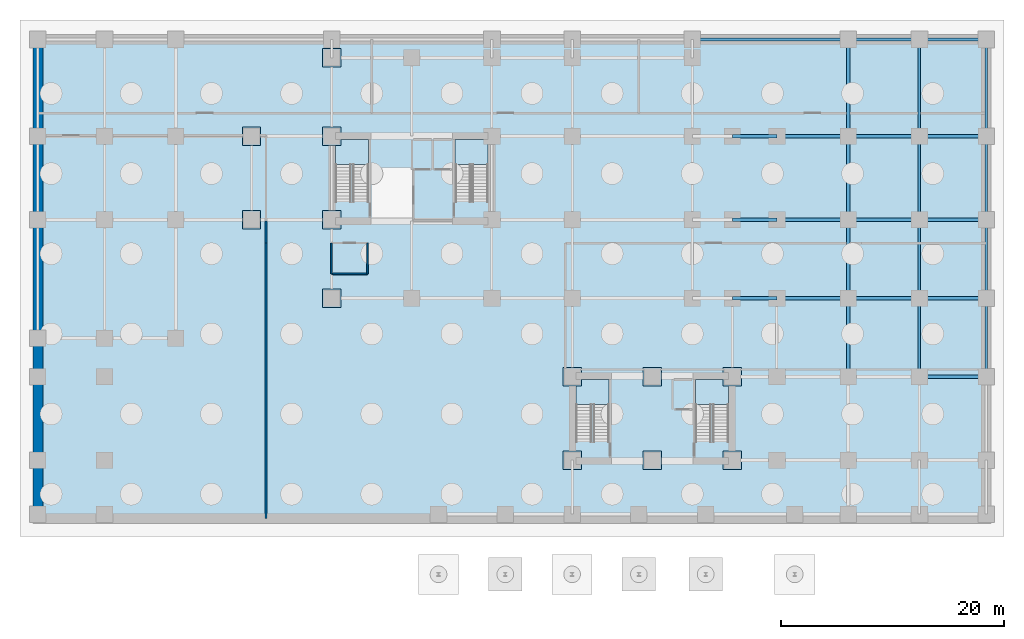
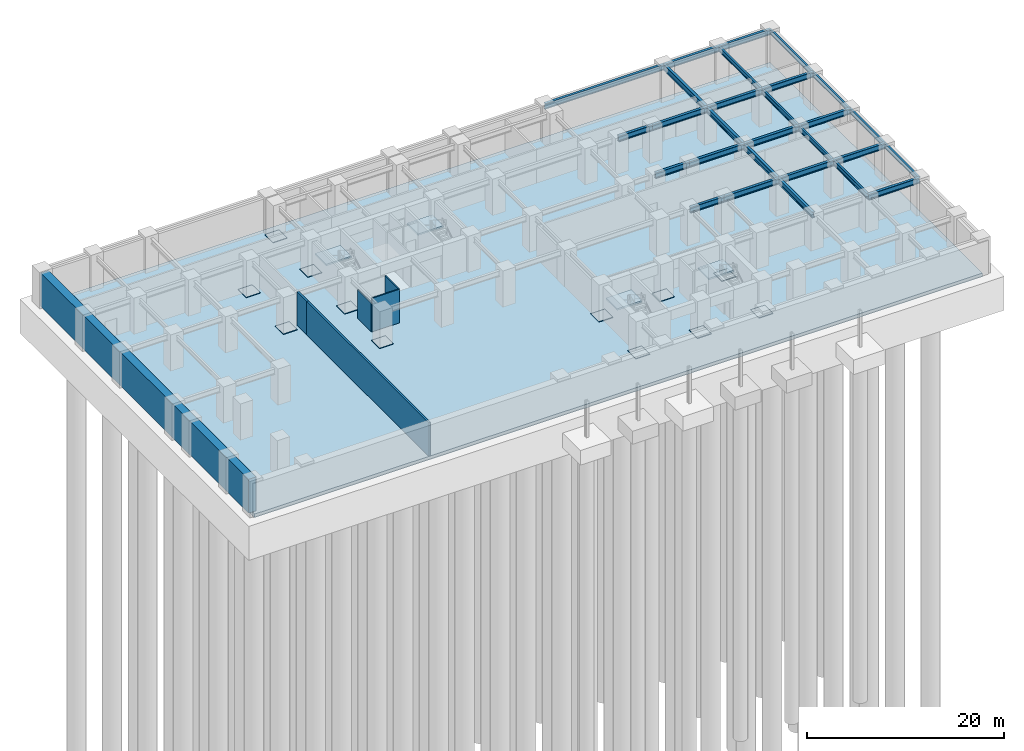
# One storey, part 6 of 11: 28 beams, 12 plates, 6 walls, 5 slabs, 4 elements without a shape of their own.
"""IFC4 building model written with IfcOpenShell, lengths in metres."""

from ifc_helpers import new_model, si_unit, direction, frame, frame_2d, origin, origin_2d, place, context, subcontext, project, spatial, polyline, rectangle, i_section, outline, extrude, source, transform, mapped, material, layer, layer_set, material_profile, profile_set, type_object, element, aggregate, save


model = new_model("IFC4")

# Units and contexts
model_context = context("Model", 3, precision=1e-05, world=origin(), true_north=direction((0.0, 1.0)))
body_context = subcontext(model_context, "Body", "Model", "MODEL_VIEW")
ifc_project = project(units=[si_unit("LENGTHUNIT", "METRE"), si_unit("AREAUNIT", "SQUARE_METRE"), si_unit("VOLUMEUNIT", "CUBIC_METRE"), si_unit("PLANEANGLEUNIT", "RADIAN"), si_unit("MASSUNIT", "GRAM", prefix="KILO")], contexts=[model_context])

# Site, building, storey
site_placement = place(None, origin())
site = spatial("IfcSite", under=ifc_project, at=site_placement, CompositionType="ELEMENT")
building_placement = place(site_placement, origin())
building = spatial("IfcBuilding", under=site, at=building_placement, Name="Kaliganga Portal Commons", CompositionType="ELEMENT")
storey_placement = place(building_placement, frame((0.0, 0.0, -9.0)))
storey = spatial("IfcBuildingStorey", under=building, at=storey_placement, Name="B2", CompositionType="ELEMENT", Elevation=-9.0)

# Beams
ifc_material_1 = material(Name="Structural steel S355J2", Category="steel")
ifc_material_profile_1 = material_profile(ifc_material_1, i_section(OverallWidth=0.219970703125, OverallDepth=0.60009765625, WebThickness=0.011962890625, FlangeThickness=0.01904296875, FilletRadius=0.02392578125, at=origin_2d()), Name="IPE 600")
ifc_profile_set_1 = profile_set([ifc_material_profile_1], Name="Structural steel S355J2 wide-flange")
beam_type_1 = type_object("IfcBeamType", Name="BM-FLR-600", PredefinedType="BEAM", material=ifc_profile_set_1)
shared_shape_1 = source(origin(), body_context, "Body", "SweptSolid", [
    extrude(i_section(OverallWidth=0.219970703125, OverallDepth=0.60009765625, WebThickness=0.011962890625, FlangeThickness=0.01904296875, FilletRadius=0.02392578125, at=origin_2d()), origin(), (0.0, 0.0, 1.0), 7.5),
])
for number, where, z_axis, x_axis, name in (
    (1, (67.199951171875, 28.64990234375, 3.8798828125), (0.0, 1.0, 0.0), (-1.0, 0.0, 0.0), "BM PODE B2 X67 5"),
    (2, (73.199951171875, 28.64990234375, 3.8798828125), (0.0, 1.0, 0.0), (-1.0, 0.0, 0.0), "BM PODE B2 X73 5"),
):
    element("IfcBeam", number, at=place(storey_placement, frame(where, z_axis=z_axis, x_axis=x_axis)), inside=storey, type_object=beam_type_1, Name=name, PredefinedType="BEAM", context=body_context, shape_type="MappedRepresentation", body=[
        mapped(shared_shape_1, transform((0.0, 0.0, 0.0), x_axis=(1.0, 0.0, 0.0), y_axis=(0.0, 1.0, 0.0), z_axis=(0.0, 0.0, 1.0), scale=1.0)),
    ])
shared_shape_2 = source(origin(), body_context, "Body", "SweptSolid", [
    extrude(i_section(OverallWidth=0.219970703125, OverallDepth=0.60009765625, WebThickness=0.011962890625, FlangeThickness=0.01904296875, FilletRadius=0.02392578125, at=origin_2d()), origin(), (0.0, 0.0, 1.0), 7.050048828125),
])
for number, where, z_axis, x_axis, name in (
    (3, (67.199951171875, 14.550048828125, 3.8798828125), (0.0, 1.0, 0.0), (-1.0, 0.0, 0.0), "BM PODE B2 X67 3"),
    (4, (73.199951171875, 14.550048828125, 3.8798828125), (0.0, 1.0, 0.0), (-1.0, 0.0, 0.0), "BM PODE B2 X73 3"),
):
    element("IfcBeam", number, at=place(storey_placement, frame(where, z_axis=z_axis, x_axis=x_axis)), inside=storey, type_object=beam_type_1, Name=name, PredefinedType="BEAM", context=body_context, shape_type="MappedRepresentation", body=[
        mapped(shared_shape_2, transform((0.0, 0.0, 0.0), x_axis=(1.0, 0.0, 0.0), y_axis=(0.0, 1.0, 0.0), z_axis=(0.0, 0.0, 1.0), scale=1.0)),
    ])
shared_shape_3 = source(origin(), body_context, "Body", "SweptSolid", [
    extrude(i_section(OverallWidth=0.219970703125, OverallDepth=0.60009765625, WebThickness=0.011962890625, FlangeThickness=0.01904296875, FilletRadius=0.02392578125, at=origin_2d()), origin(), (0.0, 0.0, 1.0), 7.0498046875),
])
for number, where, z_axis, x_axis, name in (
    (5, (67.199951171875, 21.60009765625, 3.8798828125), (0.0, 1.0, 0.0), (-1.0, 0.0, 0.0), "BM PODE B2 X67 4"),
    (6, (73.199951171875, 21.60009765625, 3.8798828125), (0.0, 1.0, 0.0), (-1.0, 0.0, 0.0), "BM PODE B2 X73 4"),
):
    element("IfcBeam", number, at=place(storey_placement, frame(where, z_axis=z_axis, x_axis=x_axis)), inside=storey, type_object=beam_type_1, Name=name, PredefinedType="BEAM", context=body_context, shape_type="MappedRepresentation", body=[
        mapped(shared_shape_3, transform((0.0, 0.0, 0.0), x_axis=(1.0, 0.0, 0.0), y_axis=(0.0, 1.0, 0.0), z_axis=(0.0, 0.0, 1.0), scale=1.0)),
    ])
ifc_material_profile_2 = material_profile(ifc_material_1, i_section(OverallWidth=0.300048828125, OverallDepth=0.699951171875, WebThickness=0.01708984375, FlangeThickness=0.031982421875, FilletRadius=0.027099609375, at=origin_2d()), Name="HE 700 B")
ifc_profile_set_2 = profile_set([ifc_material_profile_2], Name="Structural steel S355J2 wide-flange")
beam_type_2 = type_object("IfcBeamType", Name="BM-GIRD-700", PredefinedType="USERDEFINED", material=ifc_profile_set_2)
shared_shape_4 = source(origin(), body_context, "Body", "SweptSolid", [
    extrude(i_section(OverallWidth=0.300048828125, OverallDepth=0.699951171875, WebThickness=0.01708984375, FlangeThickness=0.031982421875, FilletRadius=0.027099609375, at=origin_2d()), origin(), (0.0, 0.0, 1.0), 4.0),
])
for number, where, z_axis, x_axis, name in (
    (7, (50.39990234375, 21.60009765625, 3.830078125), (1.0, 0.0, 0.0), (0.0, 1.0, 0.0), "BM G B2 BKE216 2"),
    (8, (50.39990234375, 28.64990234375, 3.830078125), (1.0, 0.0, 0.0), (0.0, 1.0, 0.0), "BM G B2 BKE286 2"),
    (9, (50.39990234375, 36.14990234375, 3.830078125), (1.0, 0.0, 0.0), (0.0, 1.0, 0.0), "BM G B2 BKE362 2"),
):
    element("IfcBeam", number, at=place(storey_placement, frame(where, z_axis=z_axis, x_axis=x_axis)), inside=storey, type_object=beam_type_2, Name=name, ObjectType="GIRDER", PredefinedType="USERDEFINED", context=body_context, shape_type="MappedRepresentation", body=[
        mapped(shared_shape_4, transform((0.0, 0.0, 0.0), x_axis=(1.0, 0.0, 0.0), y_axis=(0.0, 1.0, 0.0), z_axis=(0.0, 0.0, 1.0), scale=1.0)),
    ])
shared_shape_5 = source(origin(), body_context, "Body", "SweptSolid", [
    extrude(i_section(OverallWidth=0.300048828125, OverallDepth=0.699951171875, WebThickness=0.01708984375, FlangeThickness=0.031982421875, FilletRadius=0.027099609375, at=origin_2d()), origin(), (0.0, 0.0, 1.0), 6.400146484375),
])
for number, where, z_axis, x_axis, name in (
    (10, (54.39990234375, 21.60009765625, 3.830078125), (1.0, 0.0, 0.0), (0.0, 1.0, 0.0), "BM G B2 BKE216 3"),
    (11, (54.39990234375, 28.64990234375, 3.830078125), (1.0, 0.0, 0.0), (0.0, 1.0, 0.0), "BM G B2 BKE286 3"),
    (12, (54.39990234375, 36.14990234375, 3.830078125), (1.0, 0.0, 0.0), (0.0, 1.0, 0.0), "BM G B2 BKE362 3"),
):
    element("IfcBeam", number, at=place(storey_placement, frame(where, z_axis=z_axis, x_axis=x_axis)), inside=storey, type_object=beam_type_2, Name=name, ObjectType="GIRDER", PredefinedType="USERDEFINED", context=body_context, shape_type="MappedRepresentation", body=[
        mapped(shared_shape_5, transform((0.0, 0.0, 0.0), x_axis=(1.0, 0.0, 0.0), y_axis=(0.0, 1.0, 0.0), z_axis=(0.0, 0.0, 1.0), scale=1.0)),
    ])
shared_shape_6 = source(origin(), body_context, "Body", "SweptSolid", [
    extrude(i_section(OverallWidth=0.300048828125, OverallDepth=0.699951171875, WebThickness=0.01708984375, FlangeThickness=0.031982421875, FilletRadius=0.027099609375, at=origin_2d()), origin(), (0.0, 0.0, 1.0), 7.5),
])
beam_1_placement = place(storey_placement, frame((60.800048828125, 28.64990234375, 3.830078125), z_axis=(0.0, 1.0, 0.0), x_axis=(-1.0, 0.0, 0.0)))
element("IfcBeam", 13, at=beam_1_placement, inside=storey, type_object=beam_type_2, Name="BM PODP B2 E60 5", ObjectType="GIRDER", PredefinedType="USERDEFINED", context=body_context, shape_type="MappedRepresentation", body=[
    mapped(shared_shape_6, transform((0.0, 0.0, 0.0), x_axis=(1.0, 0.0, 0.0), y_axis=(0.0, 1.0, 0.0), z_axis=(0.0, 0.0, 1.0), scale=1.0)),
])
shared_shape_7 = source(origin(), body_context, "Body", "SweptSolid", [
    extrude(i_section(OverallWidth=0.300048828125, OverallDepth=0.699951171875, WebThickness=0.01708984375, FlangeThickness=0.031982421875, FilletRadius=0.027099609375, at=origin_2d()), origin(), (0.0, 0.0, 1.0), 8.7001953125),
])
beam_2_placement = place(storey_placement, frame((60.800048828125, 36.14990234375, 3.830078125), z_axis=(0.0, 1.0, 0.0), x_axis=(-1.0, 0.0, 0.0)))
element("IfcBeam", 14, at=beam_2_placement, inside=storey, type_object=beam_type_2, Name="BM PODP B2 E60 6", ObjectType="GIRDER", PredefinedType="USERDEFINED", context=body_context, shape_type="MappedRepresentation", body=[
    mapped(shared_shape_7, transform((0.0, 0.0, 0.0), x_axis=(1.0, 0.0, 0.0), y_axis=(0.0, 1.0, 0.0), z_axis=(0.0, 0.0, 1.0), scale=1.0)),
])
shared_shape_8 = source(origin(), body_context, "Body", "SweptSolid", [
    extrude(i_section(OverallWidth=0.300048828125, OverallDepth=0.699951171875, WebThickness=0.01708984375, FlangeThickness=0.031982421875, FilletRadius=0.027099609375, at=origin_2d()), origin(), (0.0, 0.0, 1.0), 14.0),
])
beam_3_placement = place(storey_placement, frame((46.800048828125, 44.85009765625, 3.830078125), z_axis=(1.0, 0.0, 0.0), x_axis=(0.0, 1.0, 0.0)))
element("IfcBeam", 15, at=beam_3_placement, inside=storey, type_object=beam_type_2, Name="BM PODP B2 N44 5", ObjectType="GIRDER", PredefinedType="USERDEFINED", context=body_context, shape_type="MappedRepresentation", body=[
    mapped(shared_shape_8, transform((0.0, 0.0, 0.0), x_axis=(1.0, 0.0, 0.0), y_axis=(0.0, 1.0, 0.0), z_axis=(0.0, 0.0, 1.0), scale=1.0)),
])
shared_shape_9 = source(origin(), body_context, "Body", "SweptSolid", [
    extrude(i_section(OverallWidth=0.300048828125, OverallDepth=0.699951171875, WebThickness=0.01708984375, FlangeThickness=0.031982421875, FilletRadius=0.027099609375, at=origin_2d()), origin(), (0.0, 0.0, 1.0), 7.050048828125),
])
beam_4_placement = place(storey_placement, frame((60.800048828125, 14.550048828125, 3.830078125), z_axis=(0.0, 1.0, 0.0), x_axis=(-1.0, 0.0, 0.0)))
element("IfcBeam", 16, at=beam_4_placement, inside=storey, type_object=beam_type_2, Name="BM PODP B2 E60 3", ObjectType="GIRDER", PredefinedType="USERDEFINED", context=body_context, shape_type="MappedRepresentation", body=[
    mapped(shared_shape_9, transform((0.0, 0.0, 0.0), x_axis=(1.0, 0.0, 0.0), y_axis=(0.0, 1.0, 0.0), z_axis=(0.0, 0.0, 1.0), scale=1.0)),
])
shared_shape_10 = source(origin(), body_context, "Body", "SweptSolid", [
    extrude(i_section(OverallWidth=0.300048828125, OverallDepth=0.699951171875, WebThickness=0.01708984375, FlangeThickness=0.031982421875, FilletRadius=0.027099609375, at=origin_2d()), origin(), (0.0, 0.0, 1.0), 7.0498046875),
])
beam_5_placement = place(storey_placement, frame((60.800048828125, 21.60009765625, 3.830078125), z_axis=(0.0, 1.0, 0.0), x_axis=(-1.0, 0.0, 0.0)))
element("IfcBeam", 17, at=beam_5_placement, inside=storey, type_object=beam_type_2, Name="BM PODP B2 E60 4", ObjectType="GIRDER", PredefinedType="USERDEFINED", context=body_context, shape_type="MappedRepresentation", body=[
    mapped(shared_shape_10, transform((0.0, 0.0, 0.0), x_axis=(1.0, 0.0, 0.0), y_axis=(0.0, 1.0, 0.0), z_axis=(0.0, 0.0, 1.0), scale=1.0)),
])
shared_shape_11 = source(origin(), body_context, "Body", "SweptSolid", [
    extrude(i_section(OverallWidth=0.300048828125, OverallDepth=0.699951171875, WebThickness=0.01708984375, FlangeThickness=0.031982421875, FilletRadius=0.027099609375, at=origin_2d()), origin(), (0.0, 0.0, 1.0), 6.0),
])
for number, where, z_axis, x_axis, name in (
    (18, (67.199951171875, 14.550048828125, 3.830078125), (1.0, 0.0, 0.0), (0.0, 1.0, 0.0), "BM PODE B2 Y14 2"),
    (19, (67.199951171875, 21.60009765625, 3.830078125), (1.0, 0.0, 0.0), (0.0, 1.0, 0.0), "BM PODE B2 Y21 2"),
    (20, (67.199951171875, 28.64990234375, 3.830078125), (1.0, 0.0, 0.0), (0.0, 1.0, 0.0), "BM PODE B2 Y28 2"),
    (21, (67.199951171875, 36.14990234375, 3.830078125), (1.0, 0.0, 0.0), (0.0, 1.0, 0.0), "BM PODE B2 Y36 2"),
    (22, (67.199951171875, 44.85009765625, 3.830078125), (1.0, 0.0, 0.0), (0.0, 1.0, 0.0), "BM PODE B2 Y44 2"),
):
    element("IfcBeam", number, at=place(storey_placement, frame(where, z_axis=z_axis, x_axis=x_axis)), inside=storey, type_object=beam_type_2, Name=name, ObjectType="GIRDER", PredefinedType="USERDEFINED", context=body_context, shape_type="MappedRepresentation", body=[
        mapped(shared_shape_11, transform((0.0, 0.0, 0.0), x_axis=(1.0, 0.0, 0.0), y_axis=(0.0, 1.0, 0.0), z_axis=(0.0, 0.0, 1.0), scale=1.0)),
    ])
shared_shape_12 = source(origin(), body_context, "Body", "SweptSolid", [
    extrude(i_section(OverallWidth=0.300048828125, OverallDepth=0.699951171875, WebThickness=0.01708984375, FlangeThickness=0.031982421875, FilletRadius=0.027099609375, at=origin_2d()), origin(), (0.0, 0.0, 1.0), 6.39990234375),
])
for number, where, z_axis, x_axis, name in (
    (23, (60.800048828125, 21.60009765625, 3.830078125), (1.0, 0.0, 0.0), (0.0, 1.0, 0.0), "BM PODE B2 Y21 1"),
    (24, (60.800048828125, 28.64990234375, 3.830078125), (1.0, 0.0, 0.0), (0.0, 1.0, 0.0), "BM PODE B2 Y28 1"),
    (25, (60.800048828125, 36.14990234375, 3.830078125), (1.0, 0.0, 0.0), (0.0, 1.0, 0.0), "BM PODE B2 Y36 1"),
    (26, (60.800048828125, 44.85009765625, 3.830078125), (1.0, 0.0, 0.0), (0.0, 1.0, 0.0), "BM PODE B2 Y44 1"),
):
    element("IfcBeam", number, at=place(storey_placement, frame(where, z_axis=z_axis, x_axis=x_axis)), inside=storey, type_object=beam_type_2, Name=name, ObjectType="GIRDER", PredefinedType="USERDEFINED", context=body_context, shape_type="MappedRepresentation", body=[
        mapped(shared_shape_12, transform((0.0, 0.0, 0.0), x_axis=(1.0, 0.0, 0.0), y_axis=(0.0, 1.0, 0.0), z_axis=(0.0, 0.0, 1.0), scale=1.0)),
    ])
shared_shape_13 = source(origin(), body_context, "Body", "SweptSolid", [
    extrude(i_section(OverallWidth=0.219970703125, OverallDepth=0.60009765625, WebThickness=0.011962890625, FlangeThickness=0.01904296875, FilletRadius=0.02392578125, at=origin_2d()), origin(), (0.0, 0.0, 1.0), 8.7001953125),
])
for number, where, z_axis, x_axis, name in (
    (27, (67.199951171875, 36.14990234375, 3.8798828125), (0.0, 1.0, 0.0), (-1.0, 0.0, 0.0), "BM PODE B2 X67 6"),
    (28, (73.199951171875, 36.14990234375, 3.8798828125), (0.0, 1.0, 0.0), (-1.0, 0.0, 0.0), "BM PODE B2 X73 6"),
):
    element("IfcBeam", number, at=place(storey_placement, frame(where, z_axis=z_axis, x_axis=x_axis)), inside=storey, type_object=beam_type_1, Name=name, PredefinedType="BEAM", context=body_context, shape_type="MappedRepresentation", body=[
        mapped(shared_shape_13, transform((0.0, 0.0, 0.0), x_axis=(1.0, 0.0, 0.0), y_axis=(0.0, 1.0, 0.0), z_axis=(0.0, 0.0, 1.0), scale=1.0)),
    ])

# Slab
ifc_material_2 = material(Name="Concrete C60/75", Category="concrete")
ifc_layer_1 = layer(ifc_material_2, 0.449951171875)
ifc_layer_set_1 = layer_set([ifc_layer_1], Name="Concrete C60/75")
slab_type_1 = type_object("IfcSlabType", Name="SLB-BASE-450", PredefinedType="BASESLAB", material=ifc_layer_set_1)
slab_1_placement = place(storey_placement, frame((0.0, 0.0, -0.449951171875)))
element("IfcSlab", 29, at=slab_1_placement, inside=storey, type_object=slab_type_1, Name="Structural Floor Slab B2", PredefinedType="BASESLAB", context=body_context, shape_type="SweptSolid", body=[
    extrude(outline(polyline([(-12.0, 1.800048828125), (73.199951171875, 1.800048828125), (73.199951171875, 44.85009765625), (-12.0, 44.85009765625), (-12.0, 1.800048828125)])), origin(), (0.0, 0.0, 1.0), 0.449951171875),
])

# Stair, slab
ifc_material_3 = material(Name="Concrete C40/50", Category="concrete")
stair_type = type_object("IfcStairType", Name="ST-CORE-DOGLEG", PredefinedType="HALF_TURN_STAIR", material=ifc_material_3)
stair_1_placement = place(storey_placement, origin())
stair_1 = element("IfcStair", 30, at=stair_1_placement, inside=storey, type_object=stair_type, Name="B2 Protected Exit Stair ST-A1", PredefinedType="HALF_TURN_STAIR")
ifc_layer_2 = layer(ifc_material_3, 0.199951171875)
ifc_layer_set_2 = layer_set([ifc_layer_2], Name="Concrete C40/50")
slab_type_2 = type_object("IfcSlabType", Name="SLB-STAIR-LND", PredefinedType="LANDING", material=ifc_layer_set_2)
slab_2_placement = place(storey_placement, frame((0.0, 0.0, 2.050048828125)))
slab_2 = element("IfcSlab", 31, at=slab_2_placement, type_object=slab_type_2, Name="ST-A1 landing 1", PredefinedType="LANDING", context=body_context, shape_type="SweptSolid", body=[
    extrude(outline(polyline([(17.699951171875, 33.610107421875), (17.699951171875, 35.85009765625), (14.75, 35.85009765625), (14.75, 33.610107421875), (17.699951171875, 33.610107421875)])), origin(), (0.0, 0.0, 1.0), 0.199951171875),
])
aggregate(stair_1, [slab_2])

stair_2_placement = place(storey_placement, origin())
stair_2 = element("IfcStair", 32, at=stair_2_placement, inside=storey, type_object=stair_type, Name="B2 Protected Exit Stair ST-A2", PredefinedType="HALF_TURN_STAIR")
slab_3_placement = place(storey_placement, frame((0.0, 0.0, 2.050048828125)))
slab_3 = element("IfcSlab", 33, at=slab_3_placement, type_object=slab_type_2, Name="ST-A2 landing 1", PredefinedType="LANDING", context=body_context, shape_type="SweptSolid", body=[
    extrude(outline(polyline([(28.449951171875, 33.610107421875), (28.449951171875, 35.85009765625), (25.5, 35.85009765625), (25.5, 33.610107421875), (28.449951171875, 33.610107421875)])), origin(), (0.0, 0.0, 1.0), 0.199951171875),
])
aggregate(stair_2, [slab_3])

stair_3_placement = place(storey_placement, origin())
stair_3 = element("IfcStair", 34, at=stair_3_placement, inside=storey, type_object=stair_type, Name="B2 Protected Exit Stair ST-B1", PredefinedType="HALF_TURN_STAIR")
slab_4_placement = place(storey_placement, frame((0.0, 0.0, 2.050048828125)))
slab_4 = element("IfcSlab", 35, at=slab_4_placement, type_object=slab_type_2, Name="ST-B1 landing 1", PredefinedType="LANDING", context=body_context, shape_type="SweptSolid", body=[
    extrude(outline(polyline([(39.300048828125, 12.06005859375), (39.300048828125, 14.300048828125), (36.35009765625, 14.300048828125), (36.35009765625, 12.06005859375), (39.300048828125, 12.06005859375)])), origin(), (0.0, 0.0, 1.0), 0.199951171875),
])
aggregate(stair_3, [slab_4])

stair_4_placement = place(storey_placement, origin())
stair_4 = element("IfcStair", 36, at=stair_4_placement, inside=storey, type_object=stair_type, Name="B2 Protected Exit Stair ST-B2", PredefinedType="HALF_TURN_STAIR")
slab_5_placement = place(storey_placement, frame((0.0, 0.0, 2.050048828125)))
slab_5 = element("IfcSlab", 37, at=slab_5_placement, type_object=slab_type_2, Name="ST-B2 landing 1", PredefinedType="LANDING", context=body_context, shape_type="SweptSolid", body=[
    extrude(outline(polyline([(50.050048828125, 12.06005859375), (50.050048828125, 14.300048828125), (47.10009765625, 14.300048828125), (47.10009765625, 12.06005859375), (50.050048828125, 12.06005859375)])), origin(), (0.0, 0.0, 1.0), 0.199951171875),
])
aggregate(stair_4, [slab_5])

# Plates
ifc_layer_3 = layer(ifc_material_1, 0.050048828125)
ifc_layer_set_3 = layer_set([ifc_layer_3], Name="Structural steel S355J2")
plate_type = type_object("IfcPlateType", Name="PLT-BASE-50", PredefinedType="SHEET", material=ifc_layer_set_3)
shared_shape_14 = source(origin(), body_context, "Body", "SweptSolid", [
    extrude(rectangle(XDim=1.64990234375, YDim=1.64990234375, at=origin_2d()), origin(), (0.0, 0.0, 1.0), 0.050048828125),
])
for number, where, z_axis, x_axis, name in (
    (38, (7.199951171875, 28.64990234375, 0.0), (0.0, 0.0, 1.0), (1.0, 0.0, 0.0), "Column Baseplate BP-MCA-01"),
    (39, (7.199951171875, 36.14990234375, 0.0), (0.0, 0.0, 1.0), (1.0, 0.0, 0.0), "Column Baseplate BP-MCA-02"),
    (40, (14.39990234375, 21.60009765625, 0.0), (0.0, 0.0, 1.0), (1.0, 0.0, 0.0), "Column Baseplate BP-MCA-03"),
    (41, (14.39990234375, 28.64990234375, 0.0), (0.0, 0.0, 1.0), (1.0, 0.0, 0.0), "Column Baseplate BP-MCA-04"),
    (42, (14.39990234375, 36.14990234375, 0.0), (0.0, 0.0, 1.0), (1.0, 0.0, 0.0), "Column Baseplate BP-MCA-05"),
    (43, (14.39990234375, 43.199951171875, 0.0), (0.0, 0.0, 1.0), (1.0, 0.0, 0.0), "Column Baseplate BP-MCA-06"),
    (44, (36.0, 7.050048828125, 0.0), (0.0, 0.0, 1.0), (1.0, 0.0, 0.0), "Column Baseplate BP-MCB-01"),
    (45, (36.0, 14.550048828125, 0.0), (0.0, 0.0, 1.0), (1.0, 0.0, 0.0), "Column Baseplate BP-MCB-02"),
    (46, (43.199951171875, 7.050048828125, 0.0), (0.0, 0.0, 1.0), (1.0, 0.0, 0.0), "Column Baseplate BP-MCB-03"),
    (47, (43.199951171875, 14.550048828125, 0.0), (0.0, 0.0, 1.0), (1.0, 0.0, 0.0), "Column Baseplate BP-MCB-04"),
    (48, (50.39990234375, 7.050048828125, 0.0), (0.0, 0.0, 1.0), (1.0, 0.0, 0.0), "Column Baseplate BP-MCB-05"),
    (49, (50.39990234375, 14.550048828125, 0.0), (0.0, 0.0, 1.0), (1.0, 0.0, 0.0), "Column Baseplate BP-MCB-06"),
):
    element("IfcPlate", number, at=place(storey_placement, frame(where, z_axis=z_axis, x_axis=x_axis)), inside=storey, type_object=plate_type, Name=name, PredefinedType="SHEET", context=body_context, shape_type="MappedRepresentation", body=[
        mapped(shared_shape_14, transform((0.0, 0.0, 0.0), x_axis=(1.0, 0.0, 0.0), y_axis=(0.0, 1.0, 0.0), z_axis=(0.0, 0.0, 1.0), scale=1.0)),
    ])

# Walls
ifc_material_4 = material(Name="Lightweight blockwork masonry", Category="masonry")
ifc_layer_4 = layer(ifc_material_4, 0.215087890625)
ifc_layer_set_4 = layer_set([ifc_layer_4], Name="Lightweight blockwork masonry")
wall_type_1 = type_object("IfcWallType", Name="WL-PART-PLANT-215", PredefinedType="PARTITIONING", material=ifc_layer_set_4)
wall_1_placement = place(storey_placement, frame((8.5, 26.56005859375, 0.0), z_axis=(0.0, 0.0, 1.0), x_axis=(0.0, 1.0, 0.0)))
element("IfcWall", 50, at=wall_1_placement, inside=storey, type_object=wall_type_1, Name="Interior Partition B2-013", PredefinedType="PARTITIONING", context=body_context, shape_type="SweptSolid", body=[
    extrude(rectangle(XDim=2.0, YDim=0.215087890625, at=frame_2d((1.0, 0.0))), origin(), (0.0, 0.0, 1.0), 4.159912109375),
])
wall_2_placement = place(storey_placement, frame((8.5, 1.800048828125, 0.0), z_axis=(0.0, 0.0, 1.0), x_axis=(0.0, 1.0, 0.0)))
element("IfcWall", 51, at=wall_2_placement, inside=storey, type_object=wall_type_1, Name="Interior Partition B2-020", PredefinedType="PARTITIONING", context=body_context, shape_type="SweptSolid", body=[
    extrude(rectangle(XDim=24.760009765625, YDim=0.215087890625, at=frame_2d((12.3798828125, 0.0))), origin(), (0.0, 0.0, 1.0), 4.159912109375),
])
ifc_material_5 = material(Name="Cement-Board Wet-Room Partition", Category="gypsum")
ifc_layer_5 = layer(ifc_material_5, 0.135009765625)
ifc_layer_set_5 = layer_set([ifc_layer_5], Name="Cement-Board Wet-Room Partition")
wall_type_2 = type_object("IfcWallType", Name="WL-PART-WET-135", PredefinedType="PARTITIONING", material=ifc_layer_set_5)
wall_3_placement = place(storey_placement, frame((14.39990234375, 23.800048828125, 0.0), z_axis=(0.0, 0.0, 1.0), x_axis=(1.0, 0.0, 0.0)))
element("IfcWall", 52, at=wall_3_placement, inside=storey, type_object=wall_type_2, Name="Interior Partition B2-026", PredefinedType="PARTITIONING", context=body_context, shape_type="SweptSolid", body=[
    extrude(rectangle(XDim=3.2001953125, YDim=0.135009765625, at=frame_2d((1.60009765625, 0.0))), origin(), (0.0, 0.0, 1.0), 4.159912109375),
])
wall_4_placement = place(storey_placement, frame((14.39990234375, 23.800048828125, 0.0), z_axis=(0.0, 0.0, 1.0), x_axis=(0.0, 1.0, 0.0)))
element("IfcWall", 53, at=wall_4_placement, inside=storey, type_object=wall_type_2, Name="Interior Partition B2-027", PredefinedType="PARTITIONING", context=body_context, shape_type="SweptSolid", body=[
    extrude(rectangle(XDim=2.760009765625, YDim=0.135009765625, at=frame_2d((1.3798828125, 0.0))), origin(), (0.0, 0.0, 1.0), 3.56005859375),
])
wall_5_placement = place(storey_placement, frame((17.60009765625, 23.800048828125, 0.0), z_axis=(0.0, 0.0, 1.0), x_axis=(0.0, 1.0, 0.0)))
element("IfcWall", 54, at=wall_5_placement, inside=storey, type_object=wall_type_2, Name="Interior Partition B2-028", PredefinedType="PARTITIONING", context=body_context, shape_type="SweptSolid", body=[
    extrude(rectangle(XDim=2.760009765625, YDim=0.135009765625, at=frame_2d((1.3798828125, 0.0))), origin(), (0.0, 0.0, 1.0), 4.159912109375),
])
ifc_layer_6 = layer(ifc_material_2, 0.89990234375)
ifc_layer_set_6 = layer_set([ifc_layer_6], Name="Concrete C60/75")
wall_type_3 = type_object("IfcWallType", Name="WL-RET-900", PredefinedType="USERDEFINED", material=ifc_layer_set_6)
wall_6_placement = place(storey_placement, frame((-12.0, 2.25, 0.0), z_axis=(0.0, 0.0, 1.0), x_axis=(0.0, 1.0, 0.0)))
element("IfcWall", 55, at=wall_6_placement, inside=storey, type_object=wall_type_3, Name="Basement Diaphragm Retaining Wall B2-W", ObjectType="RETAINING WALL", PredefinedType="USERDEFINED", context=body_context, shape_type="SweptSolid", body=[
    extrude(rectangle(XDim=42.14990234375, YDim=0.89990234375, at=frame_2d((21.074951171875, 0.0))), origin(), (0.0, 0.0, 1.0), 4.179931640625),
])

save(model, "model.ifc")
